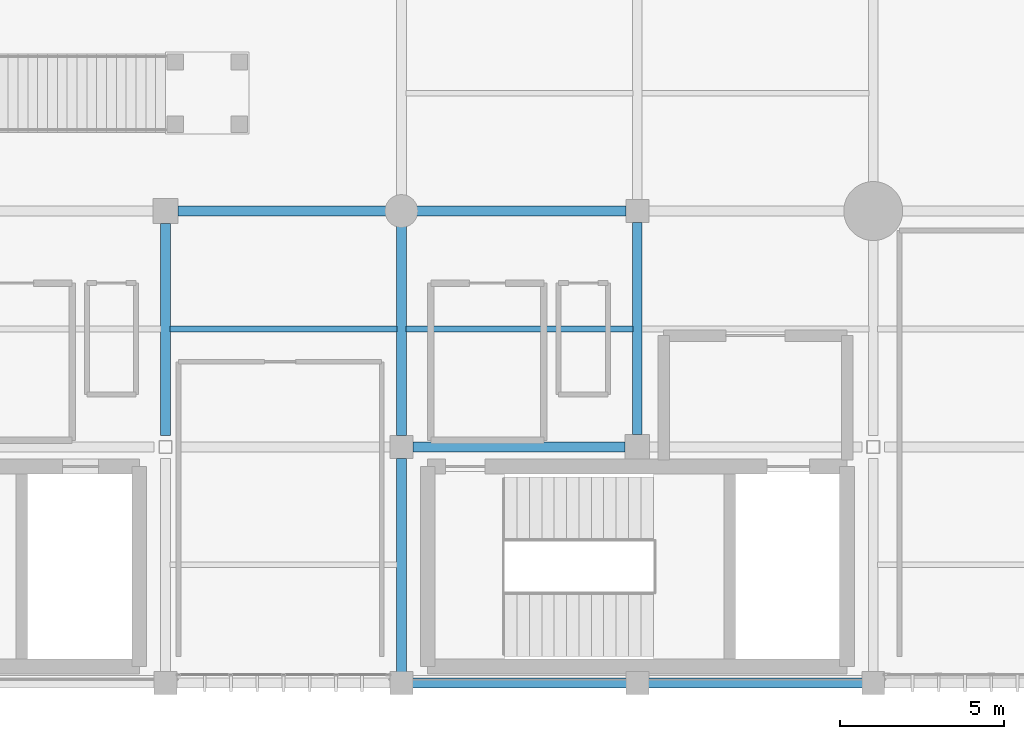
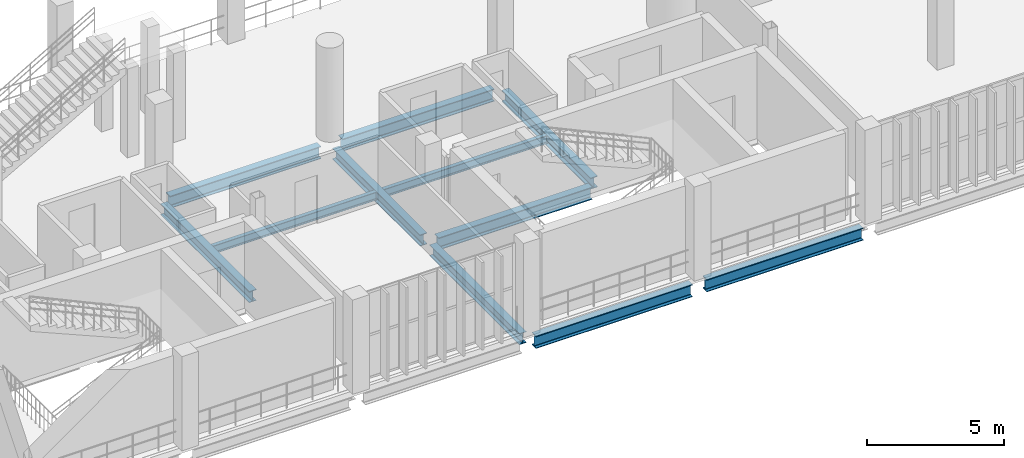
# One storey, part 35 of 130: 11 beams.
"""IFC4 building model written with IfcOpenShell, lengths in metres."""

from ifc_helpers import new_model, si_unit, direction, frame, origin, origin_2d, place, context, subcontext, project, spatial, i_section, extrude, material, material_profile, profile_set, type_object, element, save


model = new_model("IFC4")

# Units and contexts
model_context = context("Model", 3, precision=1e-05, world=origin(), true_north=direction((0.0, 1.0)))
body_context = subcontext(model_context, "Body", "Model", "MODEL_VIEW")
ifc_project = project(units=[si_unit("LENGTHUNIT", "METRE"), si_unit("AREAUNIT", "SQUARE_METRE"), si_unit("VOLUMEUNIT", "CUBIC_METRE"), si_unit("PLANEANGLEUNIT", "RADIAN"), si_unit("MASSUNIT", "GRAM", prefix="KILO")], contexts=[model_context])

# Site, building, storey
site_placement = place(None, origin())
site = spatial("IfcSite", under=ifc_project, at=site_placement, CompositionType="ELEMENT")
building_placement = place(site_placement, origin())
building = spatial("IfcBuilding", under=site, at=building_placement, Name="Qandorah Velis Arena", CompositionType="ELEMENT")
storey_placement = place(building_placement, frame((0.0, 0.0, 9.60009765625)))
storey = spatial("IfcBuildingStorey", under=building, at=storey_placement, Name="L02", CompositionType="ELEMENT", Elevation=9.60009765625)

# Beams
ifc_material = material(Name="Steel S355", Category="steel")
ifc_material_profile_1 = material_profile(ifc_material, i_section(OverallWidth=0.300048828125, OverallDepth=0.5, WebThickness=0.014404296875, FlangeThickness=0.028076171875, FilletRadius=0.027099609375, at=origin_2d()), Name="HEB 500")
ifc_profile_set_1 = profile_set([ifc_material_profile_1], Name="Steel S355")
beam_type_1 = type_object("IfcBeamType", Name="STR-BM-HEB500", PredefinedType="BEAM", material=ifc_profile_set_1)
beam_1_placement = place(storey_placement, frame((64.800048828125, 7.550048828125, -0.530029296875), z_axis=(0.0, 1.0, 0.0), x_axis=(-1.0, 0.0, 0.0)))
element("IfcBeam", 1, at=beam_1_placement, inside=storey, type_object=beam_type_1, Name="Primary floor girder L02 Y-261", PredefinedType="BEAM", context=body_context, shape_type="SweptSolid", body=[
    extrude(i_section(OverallWidth=0.300048828125, OverallDepth=0.5, WebThickness=0.014404296875, FlangeThickness=0.028076171875, FilletRadius=0.027099609375, at=origin_2d()), origin(), (0.0, 0.0, 1.0), 6.474853515625),
])
beam_2_placement = place(storey_placement, frame((72.0, 0.300048828125, -0.530029296875), z_axis=(0.0, 1.0, 0.0), x_axis=(-1.0, 0.0, 0.0)))
element("IfcBeam", 2, at=beam_2_placement, inside=storey, type_object=beam_type_1, Name="Primary floor girder L02 Y-264", PredefinedType="BEAM", context=body_context, shape_type="SweptSolid", body=[
    extrude(i_section(OverallWidth=0.300048828125, OverallDepth=0.5, WebThickness=0.014404296875, FlangeThickness=0.028076171875, FilletRadius=0.027099609375, at=origin_2d()), origin(), (0.0, 0.0, 1.0), 6.550048828125),
])
beam_3_placement = place(storey_placement, frame((72.0, 7.550048828125, -0.530029296875), z_axis=(0.0, 1.0, 0.0), x_axis=(-1.0, 0.0, 0.0)))
element("IfcBeam", 3, at=beam_3_placement, inside=storey, type_object=beam_type_1, Name="Primary floor girder L02 Y-265", PredefinedType="BEAM", context=body_context, shape_type="SweptSolid", body=[
    extrude(i_section(OverallWidth=0.300048828125, OverallDepth=0.5, WebThickness=0.014404296875, FlangeThickness=0.028076171875, FilletRadius=0.027099609375, at=origin_2d()), origin(), (0.0, 0.0, 1.0), 6.39990234375),
])
beam_4_placement = place(storey_placement, frame((79.199951171875, 7.574951171875, -0.530029296875), z_axis=(0.0, 1.0, 0.0), x_axis=(-1.0, 0.0, 0.0)))
element("IfcBeam", 4, at=beam_4_placement, inside=storey, type_object=beam_type_1, Name="Primary floor girder L02 Y-270", PredefinedType="BEAM", context=body_context, shape_type="SweptSolid", body=[
    extrude(i_section(OverallWidth=0.300048828125, OverallDepth=0.5, WebThickness=0.014404296875, FlangeThickness=0.028076171875, FilletRadius=0.027099609375, at=origin_2d()), origin(), (0.0, 0.0, 1.0), 6.47509765625),
])
ifc_material_profile_2 = material_profile(ifc_material, i_section(OverallWidth=0.300048828125, OverallDepth=0.550048828125, WebThickness=0.014892578125, FlangeThickness=0.029052734375, FilletRadius=0.027099609375, at=origin_2d()), Name="HEB 550")
ifc_profile_set_2 = profile_set([ifc_material_profile_2], Name="Steel S355")
beam_type_2 = type_object("IfcBeamType", Name="STR-BM-HEB550", PredefinedType="BEAM", material=ifc_profile_set_2)
beam_5_placement = place(storey_placement, frame((72.300048828125, 0.0, -0.55517578125), z_axis=(1.0, 0.0, 0.0), x_axis=(0.0, 1.0, 0.0)))
element("IfcBeam", 5, at=beam_5_placement, inside=storey, type_object=beam_type_2, Name="Primary floor girder L02 X-007", PredefinedType="BEAM", context=body_context, shape_type="SweptSolid", body=[
    extrude(i_section(OverallWidth=0.300048828125, OverallDepth=0.550048828125, WebThickness=0.014892578125, FlangeThickness=0.029052734375, FilletRadius=0.027099609375, at=origin_2d()), origin(), (0.0, 0.0, 1.0), 6.599853515625),
])
beam_6_placement = place(storey_placement, frame((79.5, 0.0, -0.55517578125), z_axis=(1.0, 0.0, 0.0), x_axis=(0.0, 1.0, 0.0)))
element("IfcBeam", 6, at=beam_6_placement, inside=storey, type_object=beam_type_2, Name="Primary floor girder L02 X-008", PredefinedType="BEAM", context=body_context, shape_type="SweptSolid", body=[
    extrude(i_section(OverallWidth=0.300048828125, OverallDepth=0.550048828125, WebThickness=0.014892578125, FlangeThickness=0.029052734375, FilletRadius=0.027099609375, at=origin_2d()), origin(), (0.0, 0.0, 1.0), 6.60009765625),
])
beam_7_placement = place(storey_placement, frame((72.35009765625, 7.199951171875, -0.55517578125), z_axis=(1.0, 0.0, 0.0), x_axis=(0.0, 1.0, 0.0)))
element("IfcBeam", 7, at=beam_7_placement, inside=storey, type_object=beam_type_2, Name="Primary floor girder L02 X-019", PredefinedType="BEAM", context=body_context, shape_type="SweptSolid", body=[
    extrude(i_section(OverallWidth=0.300048828125, OverallDepth=0.550048828125, WebThickness=0.014892578125, FlangeThickness=0.029052734375, FilletRadius=0.027099609375, at=origin_2d()), origin(), (0.0, 0.0, 1.0), 6.474853515625),
])
beam_8_placement = place(storey_placement, frame((65.175048828125, 14.39990234375, -0.55517578125), z_axis=(1.0, 0.0, 0.0), x_axis=(0.0, 1.0, 0.0)))
element("IfcBeam", 8, at=beam_8_placement, inside=storey, type_object=beam_type_2, Name="Primary floor girder L02 X-034", PredefinedType="BEAM", context=body_context, shape_type="SweptSolid", body=[
    extrude(i_section(OverallWidth=0.300048828125, OverallDepth=0.550048828125, WebThickness=0.014892578125, FlangeThickness=0.029052734375, FilletRadius=0.027099609375, at=origin_2d()), origin(), (0.0, 0.0, 1.0), 6.375),
])
beam_9_placement = place(storey_placement, frame((72.449951171875, 14.39990234375, -0.55517578125), z_axis=(1.0, 0.0, 0.0), x_axis=(0.0, 1.0, 0.0)))
element("IfcBeam", 9, at=beam_9_placement, inside=storey, type_object=beam_type_2, Name="Primary floor girder L02 X-035", PredefinedType="BEAM", context=body_context, shape_type="SweptSolid", body=[
    extrude(i_section(OverallWidth=0.300048828125, OverallDepth=0.550048828125, WebThickness=0.014892578125, FlangeThickness=0.029052734375, FilletRadius=0.027099609375, at=origin_2d()), origin(), (0.0, 0.0, 1.0), 6.400146484375),
])
ifc_material_profile_3 = material_profile(ifc_material, i_section(OverallWidth=0.169921875, OverallDepth=0.360107421875, WebThickness=0.008056640625, FlangeThickness=0.0126953125, FilletRadius=0.01806640625, at=origin_2d()), Name="IPE 360")
ifc_profile_set_3 = profile_set([ifc_material_profile_3], Name="Steel S355")
beam_type_3 = type_object("IfcBeamType", Name="STR-JST-IPE360", PredefinedType="JOIST", material=ifc_profile_set_3)
for number, where, z_axis, x_axis, name in (
    (10, (64.93505859375, 10.800048828125, -0.460205078125), (1.0, 0.0, 0.0), (0.0, 1.0, 0.0), "Secondary floor joist L02-052"),
    (11, (72.135009765625, 10.800048828125, -0.460205078125), (1.0, 0.0, 0.0), (0.0, 1.0, 0.0), "Secondary floor joist L02-055"),
):
    element("IfcBeam", number, at=place(storey_placement, frame(where, z_axis=z_axis, x_axis=x_axis)), inside=storey, type_object=beam_type_3, Name=name, PredefinedType="JOIST", context=body_context, shape_type="SweptSolid", body=[
        extrude(i_section(OverallWidth=0.169921875, OverallDepth=0.360107421875, WebThickness=0.008056640625, FlangeThickness=0.0126953125, FilletRadius=0.01806640625, at=origin_2d()), origin(), (0.0, 0.0, 1.0), 6.929931640625),
    ])

save(model, "model.ifc")
